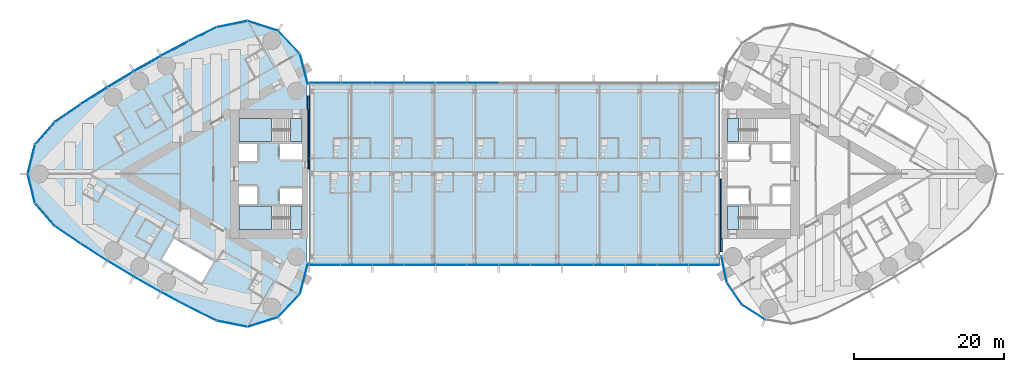
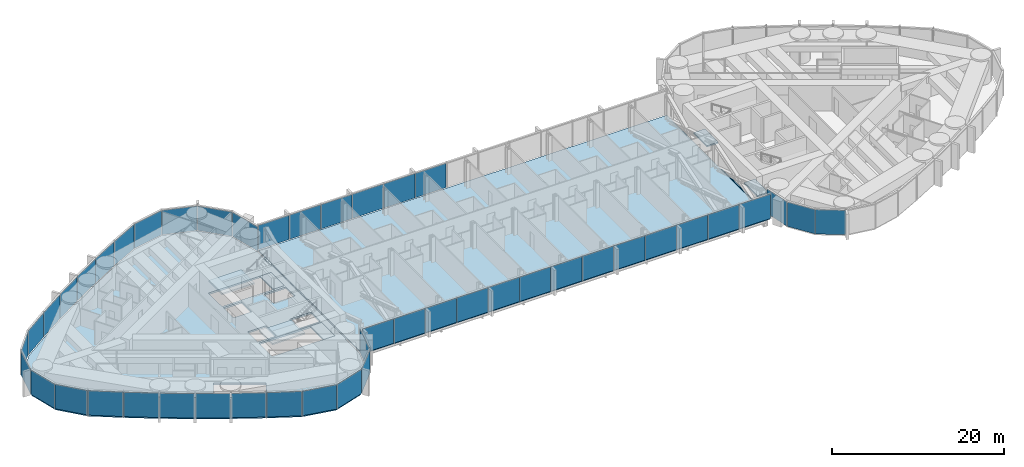
# One storey, part 12 of 23: 48 plates, 8 slabs, 8 elements without a shape of their own.
"""IFC4 building model written with IfcOpenShell, lengths in metres."""

from ifc_helpers import new_model, si_unit, direction, frame, origin, origin_2d, place, context, subcontext, project, spatial, polyline, rectangle, outline, extrude, material, layer, layer_set, type_object, element, aggregate, save


model = new_model("IFC4")

# Units and contexts
model_context = context("Model", 3, precision=1e-05, world=origin(), true_north=direction((0.0, 1.0)))
body_context = subcontext(model_context, "Body", "Model", "MODEL_VIEW")
ifc_project = project(units=[si_unit("LENGTHUNIT", "METRE"), si_unit("AREAUNIT", "SQUARE_METRE"), si_unit("VOLUMEUNIT", "CUBIC_METRE"), si_unit("PLANEANGLEUNIT", "RADIAN"), si_unit("MASSUNIT", "GRAM", prefix="KILO")], contexts=[model_context])

# Site, building, storey
site_placement = place(None, origin())
site = spatial("IfcSite", under=ifc_project, at=site_placement, CompositionType="ELEMENT")
building_placement = place(site_placement, origin())
building = spatial("IfcBuilding", under=site, at=building_placement, Name="Lancet Gate Hotel", CompositionType="ELEMENT")
storey_placement = place(building_placement, frame((0.0, 0.0, 218.89990234375)))
storey = spatial("IfcBuildingStorey", under=building, at=storey_placement, Name="L58", CompositionType="ELEMENT", Elevation=218.89990234375)

# Curtain wall, plates
ifc_material_1 = material(Name="Aluminium curtain wall", Category="aluminium")
curtain_wall_type_1 = type_object("IfcCurtainWallType", Name="Bridge block curtain wall", PredefinedType="USERDEFINED", material=ifc_material_1)
curtain_wall_1_placement = place(storey_placement, origin())
curtain_wall_1 = element("IfcCurtainWall", 1, at=curtain_wall_1_placement, inside=storey, type_object=curtain_wall_type_1, Name="Bridge block L58 curtain wall S", ObjectType="UNITISED CURTAIN WALL", PredefinedType="USERDEFINED")
ifc_material_2 = material(Name="Glass double glazed unit 8-16-6", Category="glass")
ifc_layer_1 = layer(ifc_material_2, 0.030029296875)
ifc_layer_set_1 = layer_set([ifc_layer_1], Name="Block vision panel")
plate_type_1 = type_object("IfcPlateType", Name="Block vision panel", PredefinedType="CURTAIN_PANEL", material=ifc_layer_set_1)
plate_1_placement = place(storey_placement, frame((-25.24609375, -12.1201171875, 0.0), z_axis=(0.0, 0.0, 1.0), x_axis=(1.0, 0.0, 0.0)))
plate_1 = element("IfcPlate", 2, at=plate_1_placement, type_object=plate_type_1, Name="Bridge block L58 curtain wall S panel 1", PredefinedType="CURTAIN_PANEL", context=body_context, shape_type="SweptSolid", body=[
    extrude(rectangle(XDim=4.142578125, YDim=0.030029296875, at=origin_2d()), origin(), (0.0, 0.0, 1.0), 3.449951171875),
])
plate_2_placement = place(storey_placement, frame((-21.03857421875, -12.1201171875, 0.0), z_axis=(0.0, 0.0, 1.0), x_axis=(1.0, 0.0, 0.0)))
plate_2 = element("IfcPlate", 3, at=plate_2_placement, type_object=plate_type_1, Name="Bridge block L58 curtain wall S panel 2", PredefinedType="CURTAIN_PANEL", context=body_context, shape_type="SweptSolid", body=[
    extrude(rectangle(XDim=4.142578125, YDim=0.030029296875, at=origin_2d()), origin(), (0.0, 0.0, 1.0), 3.449951171875),
])
plate_3_placement = place(storey_placement, frame((-16.830810546875, -12.1201171875, 0.0), z_axis=(0.0, 0.0, 1.0), x_axis=(1.0, 0.0, 0.0)))
plate_3 = element("IfcPlate", 4, at=plate_3_placement, type_object=plate_type_1, Name="Bridge block L58 curtain wall S panel 3", PredefinedType="CURTAIN_PANEL", context=body_context, shape_type="SweptSolid", body=[
    extrude(rectangle(XDim=4.142578125, YDim=0.030029296875, at=origin_2d()), origin(), (0.0, 0.0, 1.0), 3.449951171875),
])
plate_4_placement = place(storey_placement, frame((-12.623046875, -12.1201171875, 0.0), z_axis=(0.0, 0.0, 1.0), x_axis=(1.0, 0.0, 0.0)))
plate_4 = element("IfcPlate", 5, at=plate_4_placement, type_object=plate_type_1, Name="Bridge block L58 curtain wall S panel 4", PredefinedType="CURTAIN_PANEL", context=body_context, shape_type="SweptSolid", body=[
    extrude(rectangle(XDim=4.142578125, YDim=0.030029296875, at=origin_2d()), origin(), (0.0, 0.0, 1.0), 3.449951171875),
])
plate_5_placement = place(storey_placement, frame((-8.415283203125, -12.1201171875, 0.0), z_axis=(0.0, 0.0, 1.0), x_axis=(1.0, 0.0, 0.0)))
plate_5 = element("IfcPlate", 6, at=plate_5_placement, type_object=plate_type_1, Name="Bridge block L58 curtain wall S panel 5", PredefinedType="CURTAIN_PANEL", context=body_context, shape_type="SweptSolid", body=[
    extrude(rectangle(XDim=4.142578125, YDim=0.030029296875, at=origin_2d()), origin(), (0.0, 0.0, 1.0), 3.449951171875),
])
plate_6_placement = place(storey_placement, frame((-4.207763671875, -12.1201171875, 0.0), z_axis=(0.0, 0.0, 1.0), x_axis=(1.0, 0.0, 0.0)))
plate_6 = element("IfcPlate", 7, at=plate_6_placement, type_object=plate_type_1, Name="Bridge block L58 curtain wall S panel 6", PredefinedType="CURTAIN_PANEL", context=body_context, shape_type="SweptSolid", body=[
    extrude(rectangle(XDim=4.142578125, YDim=0.030029296875, at=origin_2d()), origin(), (0.0, 0.0, 1.0), 3.449951171875),
])
plate_7_placement = place(storey_placement, frame((0.0, -12.1201171875, 0.0), z_axis=(0.0, 0.0, 1.0), x_axis=(1.0, 0.0, 0.0)))
plate_7 = element("IfcPlate", 8, at=plate_7_placement, type_object=plate_type_1, Name="Bridge block L58 curtain wall S panel 7", PredefinedType="CURTAIN_PANEL", context=body_context, shape_type="SweptSolid", body=[
    extrude(rectangle(XDim=4.142578125, YDim=0.030029296875, at=origin_2d()), origin(), (0.0, 0.0, 1.0), 3.449951171875),
])
plate_8_placement = place(storey_placement, frame((4.207763671875, -12.1201171875, 0.0), z_axis=(0.0, 0.0, 1.0), x_axis=(1.0, 0.0, 0.0)))
plate_8 = element("IfcPlate", 9, at=plate_8_placement, type_object=plate_type_1, Name="Bridge block L58 curtain wall S panel 8", PredefinedType="CURTAIN_PANEL", context=body_context, shape_type="SweptSolid", body=[
    extrude(rectangle(XDim=4.142578125, YDim=0.030029296875, at=origin_2d()), origin(), (0.0, 0.0, 1.0), 3.449951171875),
])
plate_9_placement = place(storey_placement, frame((8.415283203125, -12.1201171875, 0.0), z_axis=(0.0, 0.0, 1.0), x_axis=(1.0, 0.0, 0.0)))
plate_9 = element("IfcPlate", 10, at=plate_9_placement, type_object=plate_type_1, Name="Bridge block L58 curtain wall S panel 9", PredefinedType="CURTAIN_PANEL", context=body_context, shape_type="SweptSolid", body=[
    extrude(rectangle(XDim=4.142578125, YDim=0.030029296875, at=origin_2d()), origin(), (0.0, 0.0, 1.0), 3.449951171875),
])
plate_10_placement = place(storey_placement, frame((12.623046875, -12.1201171875, 0.0), z_axis=(0.0, 0.0, 1.0), x_axis=(1.0, 0.0, 0.0)))
plate_10 = element("IfcPlate", 11, at=plate_10_placement, type_object=plate_type_1, Name="Bridge block L58 curtain wall S panel 10", PredefinedType="CURTAIN_PANEL", context=body_context, shape_type="SweptSolid", body=[
    extrude(rectangle(XDim=4.142578125, YDim=0.030029296875, at=origin_2d()), origin(), (0.0, 0.0, 1.0), 3.449951171875),
])
plate_11_placement = place(storey_placement, frame((16.830810546875, -12.1201171875, 0.0), z_axis=(0.0, 0.0, 1.0), x_axis=(1.0, 0.0, 0.0)))
plate_11 = element("IfcPlate", 12, at=plate_11_placement, type_object=plate_type_1, Name="Bridge block L58 curtain wall S panel 11", PredefinedType="CURTAIN_PANEL", context=body_context, shape_type="SweptSolid", body=[
    extrude(rectangle(XDim=4.142578125, YDim=0.030029296875, at=origin_2d()), origin(), (0.0, 0.0, 1.0), 3.449951171875),
])
plate_12_placement = place(storey_placement, frame((21.03857421875, -12.1201171875, 0.0), z_axis=(0.0, 0.0, 1.0), x_axis=(1.0, 0.0, 0.0)))
plate_12 = element("IfcPlate", 13, at=plate_12_placement, type_object=plate_type_1, Name="Bridge block L58 curtain wall S panel 12", PredefinedType="CURTAIN_PANEL", context=body_context, shape_type="SweptSolid", body=[
    extrude(rectangle(XDim=4.142578125, YDim=0.030029296875, at=origin_2d()), origin(), (0.0, 0.0, 1.0), 3.449951171875),
])
plate_13_placement = place(storey_placement, frame((25.24609375, -12.1201171875, 0.0), z_axis=(0.0, 0.0, 1.0), x_axis=(1.0, 0.0, 0.0)))
plate_13 = element("IfcPlate", 14, at=plate_13_placement, type_object=plate_type_1, Name="Bridge block L58 curtain wall S panel 13", PredefinedType="CURTAIN_PANEL", context=body_context, shape_type="SweptSolid", body=[
    extrude(rectangle(XDim=4.142578125, YDim=0.030029296875, at=origin_2d()), origin(), (0.0, 0.0, 1.0), 3.449951171875),
])
aggregate(curtain_wall_1, [plate_1, plate_2, plate_3, plate_4, plate_5, plate_6, plate_7, plate_8, plate_9, plate_10, plate_11, plate_12, plate_13])

curtain_wall_2_placement = place(storey_placement, origin())
curtain_wall_2 = element("IfcCurtainWall", 15, at=curtain_wall_2_placement, inside=storey, type_object=curtain_wall_type_1, Name="Bridge block L58 curtain wall N", ObjectType="UNITISED CURTAIN WALL", PredefinedType="USERDEFINED")
plate_14_placement = place(storey_placement, frame((-4.207763671875, 12.1201171875, 0.0), z_axis=(0.0, 0.0, 1.0), x_axis=(-1.0, 0.0, 0.0)))
plate_14 = element("IfcPlate", 16, at=plate_14_placement, type_object=plate_type_1, Name="Bridge block L58 curtain wall N panel 8", PredefinedType="CURTAIN_PANEL", context=body_context, shape_type="SweptSolid", body=[
    extrude(rectangle(XDim=4.142578125, YDim=0.030029296875, at=origin_2d()), origin(), (0.0, 0.0, 1.0), 3.449951171875),
])
plate_15_placement = place(storey_placement, frame((-8.415283203125, 12.1201171875, 0.0), z_axis=(0.0, 0.0, 1.0), x_axis=(-1.0, 0.0, 0.0)))
plate_15 = element("IfcPlate", 17, at=plate_15_placement, type_object=plate_type_1, Name="Bridge block L58 curtain wall N panel 9", PredefinedType="CURTAIN_PANEL", context=body_context, shape_type="SweptSolid", body=[
    extrude(rectangle(XDim=4.142578125, YDim=0.030029296875, at=origin_2d()), origin(), (0.0, 0.0, 1.0), 3.449951171875),
])
plate_16_placement = place(storey_placement, frame((-12.623046875, 12.1201171875, 0.0), z_axis=(0.0, 0.0, 1.0), x_axis=(-1.0, 0.0, 0.0)))
plate_16 = element("IfcPlate", 18, at=plate_16_placement, type_object=plate_type_1, Name="Bridge block L58 curtain wall N panel 10", PredefinedType="CURTAIN_PANEL", context=body_context, shape_type="SweptSolid", body=[
    extrude(rectangle(XDim=4.142578125, YDim=0.030029296875, at=origin_2d()), origin(), (0.0, 0.0, 1.0), 3.449951171875),
])
plate_17_placement = place(storey_placement, frame((-16.830810546875, 12.1201171875, 0.0), z_axis=(0.0, 0.0, 1.0), x_axis=(-1.0, 0.0, 0.0)))
plate_17 = element("IfcPlate", 19, at=plate_17_placement, type_object=plate_type_1, Name="Bridge block L58 curtain wall N panel 11", PredefinedType="CURTAIN_PANEL", context=body_context, shape_type="SweptSolid", body=[
    extrude(rectangle(XDim=4.142578125, YDim=0.030029296875, at=origin_2d()), origin(), (0.0, 0.0, 1.0), 3.449951171875),
])
plate_18_placement = place(storey_placement, frame((-21.03857421875, 12.1201171875, 0.0), z_axis=(0.0, 0.0, 1.0), x_axis=(-1.0, 0.0, 0.0)))
plate_18 = element("IfcPlate", 20, at=plate_18_placement, type_object=plate_type_1, Name="Bridge block L58 curtain wall N panel 12", PredefinedType="CURTAIN_PANEL", context=body_context, shape_type="SweptSolid", body=[
    extrude(rectangle(XDim=4.142578125, YDim=0.030029296875, at=origin_2d()), origin(), (0.0, 0.0, 1.0), 3.449951171875),
])
plate_19_placement = place(storey_placement, frame((-25.24609375, 12.1201171875, 0.0), z_axis=(0.0, 0.0, 1.0), x_axis=(-1.0, 0.0, 0.0)))
plate_19 = element("IfcPlate", 21, at=plate_19_placement, type_object=plate_type_1, Name="Bridge block L58 curtain wall N panel 13", PredefinedType="CURTAIN_PANEL", context=body_context, shape_type="SweptSolid", body=[
    extrude(rectangle(XDim=4.142578125, YDim=0.030029296875, at=origin_2d()), origin(), (0.0, 0.0, 1.0), 3.449951171875),
])
aggregate(curtain_wall_2, [plate_14, plate_15, plate_16, plate_17, plate_18, plate_19])

# Slabs
ifc_material_3 = material(Name="Concrete C40/50", Category="concrete")
ifc_layer_2 = layer(ifc_material_3, 0.199951171875)
ifc_layer_set_2 = layer_set([ifc_layer_2], Name="Composite floor slab 200")
slab_type_1 = type_object("IfcSlabType", Name="Composite floor slab 200", PredefinedType="FLOOR", material=ifc_layer_set_2)
slab_1_placement = place(storey_placement, frame((0.0, 0.0, -0.199951171875)))
element("IfcSlab", 22, at=slab_1_placement, inside=storey, type_object=slab_type_1, Name="Bridge block L58 floor slab", PredefinedType="FLOOR", context=body_context, shape_type="SweptSolid", body=[
    extrude(outline(polyline([(27.35009765625, -12.0), (27.35009765625, 12.0), (-27.35009765625, 12.0), (-27.35009765625, -12.0), (27.35009765625, -12.0)])), origin(), (0.0, 0.0, 1.0), 0.199951171875),
])
ifc_material_4 = material(Name="Concrete C50/60", Category="concrete")
ifc_layer_3 = layer(ifc_material_4, 0.25)
ifc_layer_set_3 = layer_set([ifc_layer_3], Name="Floor slab 250")
slab_type_2 = type_object("IfcSlabType", Name="Floor slab 250", PredefinedType="FLOOR", material=ifc_layer_set_3)
slab_2_placement = place(storey_placement, frame((0.0, 0.0, -0.25)))
element("IfcSlab", 23, at=slab_2_placement, inside=storey, type_object=slab_type_2, Name="T1 L58 floor slab", PredefinedType="FLOOR", context=body_context, shape_type="SweptSolid", body=[
    extrude(outline(polyline([(-27.5, 8.60009765625), (-27.6201171875, 8.60009765625), (-27.6201171875, 11.84619140625), (-28.668701171875, 15.912353515625), (-31.542236328125, 18.95263671875), (-35.52783203125, 20.22412109375), (-39.645751953125, 19.40673828125), (-43.344482421875, 17.565673828125), (-47.005126953125, 15.618896484375), (-50.61181640625, 13.574462890625), (-54.162353515625, 11.43359375), (-57.654052734375, 9.197998046875), (-61.072998046875, 6.876708984375), (-63.71240234375, 3.871337890625), (-64.66064453125, 0.0), (-63.71240234375, -3.871337890625), (-61.072998046875, -6.876708984375), (-57.654052734375, -9.197998046875), (-54.162353515625, -11.43359375), (-50.61181640625, -13.574462890625), (-47.005126953125, -15.618896484375), (-43.344482421875, -17.565673828125), (-39.645751953125, -19.40673828125), (-35.52783203125, -20.22412109375), (-31.542236328125, -18.95263671875), (-28.668701171875, -15.912353515625), (-27.6201171875, -11.84619140625), (-27.6201171875, -8.60009765625), (-27.5, -8.60009765625), (-27.5, -8.199951171875), (-27.5, 8.199951171875), (-27.5, 8.60009765625)]), holes=[polyline([(-36.699951171875, 7.39990234375), (-36.699951171875, 4.300048828125), (-28.300048828125, 4.300048828125), (-28.300048828125, 7.39990234375), (-36.699951171875, 7.39990234375)]), polyline([(-28.300048828125, 4.0), (-31.199951171875, 4.0), (-31.199951171875, 1.89990234375), (-28.300048828125, 1.89990234375), (-28.300048828125, 4.0)]), polyline([(-34.25, 4.0), (-36.699951171875, 4.0), (-36.699951171875, 1.64990234375), (-34.25, 1.64990234375), (-34.25, 4.0)]), polyline([(-36.699951171875, -1.64990234375), (-36.699951171875, -4.0), (-34.25, -4.0), (-34.25, -1.64990234375), (-36.699951171875, -1.64990234375)]), polyline([(-28.300048828125, -1.89990234375), (-31.199951171875, -1.89990234375), (-31.199951171875, -4.0), (-28.300048828125, -4.0), (-28.300048828125, -1.89990234375)]), polyline([(-28.300048828125, -4.300048828125), (-36.699951171875, -4.300048828125), (-36.699951171875, -7.39990234375), (-28.300048828125, -7.39990234375), (-28.300048828125, -4.300048828125)]), polyline([(-45.319091796875, -8.631103515625), (-46.9189453125, -11.402099609375), (-41.635986328125, -14.451904296875), (-40.035888671875, -11.680908203125), (-45.319091796875, -8.631103515625)])]), origin(), (0.0, 0.0, 1.0), 0.25),
])

# Plates
ifc_material_5 = material(Name="Aluminium chequer plate", Category="aluminium")
ifc_layer_4 = layer(ifc_material_5, 0.014892578125)
ifc_layer_set_4 = layer_set([ifc_layer_4], Name="Movement joint cover plate 15")
plate_type_2 = type_object("IfcPlateType", Name="Movement joint cover plate 15", PredefinedType="SHEET", material=ifc_layer_set_4)
plate_20_placement = place(storey_placement, frame((0.0, 0.0, -0.014892578125)))
element("IfcPlate", 24, at=plate_20_placement, inside=storey, type_object=plate_type_2, Name="Movement joint cover plate T1 L58", PredefinedType="SHEET", context=body_context, shape_type="SweptSolid", body=[
    extrude(outline(polyline([(-27.35009765625, 10.3798828125), (-27.6201171875, 10.3798828125), (-27.6201171875, 8.60009765625), (-27.5, 8.60009765625), (-27.5, 8.199951171875), (-27.5, 0.6201171875), (-27.35009765625, 0.6201171875), (-27.35009765625, 10.3798828125)])), origin(), (0.0, 0.0, 1.0), 0.014892578125),
])
plate_21_placement = place(storey_placement, frame((0.0, 0.0, -0.014892578125)))
element("IfcPlate", 25, at=plate_21_placement, inside=storey, type_object=plate_type_2, Name="Movement joint cover plate T2 L58", PredefinedType="SHEET", context=body_context, shape_type="SweptSolid", body=[
    extrude(outline(polyline([(27.35009765625, -10.3798828125), (27.6201171875, -10.3798828125), (27.6201171875, -8.60009765625), (27.5, -8.60009765625), (27.5, -8.199951171875), (27.5, -0.6201171875), (27.35009765625, -0.6201171875), (27.35009765625, -10.3798828125)])), origin(), (0.0, 0.0, 1.0), 0.014892578125),
])

# Stair, slabs
ifc_material_6 = material(Name="Exit stair 20 risers 1500")
stair_type = type_object("IfcStairType", Name="Exit stair 20 risers 1500", PredefinedType="HALF_TURN_STAIR", material=ifc_material_6)
stair_1_placement = place(storey_placement, origin())
stair_1 = element("IfcStair", 26, at=stair_1_placement, inside=storey, type_object=stair_type, Name="T1 stair 1 L58", PredefinedType="HALF_TURN_STAIR")
ifc_material_7 = material(Name="Concrete C40/50", Category="concrete")
ifc_layer_5 = layer(ifc_material_7, 0.199951171875)
ifc_layer_set_5 = layer_set([ifc_layer_5], Name="Stair landing 200")
slab_type_3 = type_object("IfcSlabType", Name="Stair landing 200", PredefinedType="LANDING", material=ifc_layer_set_5)
slab_3_placement = place(storey_placement, frame((0.0, 0.0, -0.199951171875)))
slab_3 = element("IfcSlab", 27, at=slab_3_placement, type_object=slab_type_3, Name="ST1 landing 1", PredefinedType="LANDING", context=body_context, shape_type="SweptSolid", body=[
    extrude(outline(polyline([(-28.300048828125, 7.39990234375), (-29.800048828125, 7.39990234375), (-29.800048828125, 4.300048828125), (-28.300048828125, 4.300048828125), (-28.300048828125, 7.39990234375)])), origin(), (0.0, 0.0, 1.0), 0.199951171875),
])
slab_4_placement = place(storey_placement, frame((0.0, 0.0, 1.60009765625)))
slab_4 = element("IfcSlab", 28, at=slab_4_placement, type_object=slab_type_3, Name="ST1 landing 2", PredefinedType="LANDING", context=body_context, shape_type="SweptSolid", body=[
    extrude(outline(polyline([(-32.320068359375, 7.39990234375), (-36.699951171875, 7.39990234375), (-36.699951171875, 4.300048828125), (-32.320068359375, 4.300048828125), (-32.320068359375, 7.39990234375)])), origin(), (0.0, 0.0, 1.0), 0.199951171875),
])
aggregate(stair_1, [slab_3, slab_4])

stair_2_placement = place(storey_placement, origin())
stair_2 = element("IfcStair", 29, at=stair_2_placement, inside=storey, type_object=stair_type, Name="T1 stair 2 L58", PredefinedType="HALF_TURN_STAIR")
slab_5_placement = place(storey_placement, frame((0.0, 0.0, -0.199951171875)))
slab_5 = element("IfcSlab", 30, at=slab_5_placement, type_object=slab_type_3, Name="ST2 landing 1", PredefinedType="LANDING", context=body_context, shape_type="SweptSolid", body=[
    extrude(outline(polyline([(-28.300048828125, -4.300048828125), (-29.800048828125, -4.300048828125), (-29.800048828125, -7.39990234375), (-28.300048828125, -7.39990234375), (-28.300048828125, -4.300048828125)])), origin(), (0.0, 0.0, 1.0), 0.199951171875),
])
slab_6_placement = place(storey_placement, frame((0.0, 0.0, 1.60009765625)))
slab_6 = element("IfcSlab", 31, at=slab_6_placement, type_object=slab_type_3, Name="ST2 landing 2", PredefinedType="LANDING", context=body_context, shape_type="SweptSolid", body=[
    extrude(outline(polyline([(-32.320068359375, -4.300048828125), (-36.699951171875, -4.300048828125), (-36.699951171875, -7.39990234375), (-32.320068359375, -7.39990234375), (-32.320068359375, -4.300048828125)])), origin(), (0.0, 0.0, 1.0), 0.199951171875),
])
aggregate(stair_2, [slab_5, slab_6])

# Stair, slab
stair_3_placement = place(storey_placement, origin())
stair_3 = element("IfcStair", 32, at=stair_3_placement, inside=storey, type_object=stair_type, Name="T2 stair 1 L58", PredefinedType="HALF_TURN_STAIR")
slab_7_placement = place(storey_placement, frame((0.0, 0.0, -0.199951171875)))
slab_7 = element("IfcSlab", 33, at=slab_7_placement, type_object=slab_type_3, Name="ST3 landing 1", PredefinedType="LANDING", context=body_context, shape_type="SweptSolid", body=[
    extrude(outline(polyline([(28.300048828125, -7.39990234375), (29.800048828125, -7.39990234375), (29.800048828125, -4.300048828125), (28.300048828125, -4.300048828125), (28.300048828125, -7.39990234375)])), origin(), (0.0, 0.0, 1.0), 0.199951171875),
])
aggregate(stair_3, [slab_7])

stair_4_placement = place(storey_placement, origin())
stair_4 = element("IfcStair", 34, at=stair_4_placement, inside=storey, type_object=stair_type, Name="T2 stair 2 L58", PredefinedType="HALF_TURN_STAIR")
slab_8_placement = place(storey_placement, frame((0.0, 0.0, -0.199951171875)))
slab_8 = element("IfcSlab", 35, at=slab_8_placement, type_object=slab_type_3, Name="ST4 landing 1", PredefinedType="LANDING", context=body_context, shape_type="SweptSolid", body=[
    extrude(outline(polyline([(28.300048828125, 4.300048828125), (29.800048828125, 4.300048828125), (29.800048828125, 7.39990234375), (28.300048828125, 7.39990234375), (28.300048828125, 4.300048828125)])), origin(), (0.0, 0.0, 1.0), 0.199951171875),
])
aggregate(stair_4, [slab_8])

# Curtain wall, plates
ifc_material_8 = material(Name="Aluminium curtain wall", Category="aluminium")
curtain_wall_type_2 = type_object("IfcCurtainWallType", Name="Tower unitised curtain wall", PredefinedType="USERDEFINED", material=ifc_material_8)
curtain_wall_3_placement = place(storey_placement, origin())
curtain_wall_3 = element("IfcCurtainWall", 36, at=curtain_wall_3_placement, inside=storey, type_object=curtain_wall_type_2, Name="T1 L58 curtain wall 1", ObjectType="UNITISED CURTAIN WALL", PredefinedType="USERDEFINED")
ifc_material_9 = material(Name="Glass double glazed unit 8-16-6", Category="glass")
ifc_layer_6 = layer(ifc_material_9, 0.030029296875)
ifc_layer_set_6 = layer_set([ifc_layer_6], Name="Vision panel double glazed")
plate_type_3 = type_object("IfcPlateType", Name="Vision panel double glazed", PredefinedType="CURTAIN_PANEL", material=ifc_layer_set_6)
plate_22_placement = place(storey_placement, frame((-28.030029296875, 13.9169921875, 0.0), z_axis=(0.0, 0.0, 1.0), x_axis=(-0.249725827997, 0.968316586056, 0.0)))
plate_22 = element("IfcPlate", 37, at=plate_22_placement, type_object=plate_type_3, Name="T1 L58 curtain wall 1 panel 1", PredefinedType="CURTAIN_PANEL", context=body_context, shape_type="SweptSolid", body=[
    extrude(rectangle(XDim=4.180419921875, YDim=0.030029296875, at=origin_2d()), origin(), (0.0, 0.0, 1.0), 3.449951171875),
])
plate_23_placement = place(storey_placement, frame((-30.018310546875, 17.514892578125, 0.0), z_axis=(0.0, 0.0, 1.0), x_axis=(-0.686882887577, 0.726768118972, 0.0)))
plate_23 = element("IfcPlate", 38, at=plate_23_placement, type_object=plate_type_3, Name="T1 L58 curtain wall 1 panel 2", PredefinedType="CURTAIN_PANEL", context=body_context, shape_type="SweptSolid", body=[
    extrude(rectangle(XDim=4.180419921875, YDim=0.030029296875, at=origin_2d()), origin(), (0.0, 0.0, 1.0), 3.449951171875),
])
plate_24_placement = place(storey_placement, frame((-33.49853515625, 19.702880859375, 0.0), z_axis=(0.0, 0.0, 1.0), x_axis=(-0.952695666833, 0.303925922549, 0.0)))
plate_24 = element("IfcPlate", 39, at=plate_24_placement, type_object=plate_type_3, Name="T1 L58 curtain wall 1 panel 3", PredefinedType="CURTAIN_PANEL", context=body_context, shape_type="SweptSolid", body=[
    extrude(rectangle(XDim=4.180419921875, YDim=0.030029296875, at=origin_2d()), origin(), (0.0, 0.0, 1.0), 3.449951171875),
])
plate_25_placement = place(storey_placement, frame((-37.602783203125, 19.9345703125, 0.0), z_axis=(0.0, 0.0, 1.0), x_axis=(-0.980856647866, -0.194731189942, 0.0)))
plate_25 = element("IfcPlate", 40, at=plate_25_placement, type_object=plate_type_3, Name="T1 L58 curtain wall 1 panel 4", PredefinedType="CURTAIN_PANEL", context=body_context, shape_type="SweptSolid", body=[
    extrude(rectangle(XDim=4.180419921875, YDim=0.030029296875, at=origin_2d()), origin(), (0.0, 0.0, 1.0), 3.449951171875),
])
plate_26_placement = place(storey_placement, frame((-41.5419921875, 18.5966796875, 0.0), z_axis=(0.0, 0.0, 1.0), x_axis=(-0.895234030262, -0.445596264639, 0.0)))
plate_26 = element("IfcPlate", 41, at=plate_26_placement, type_object=plate_type_3, Name="T1 L58 curtain wall 1 panel 5", PredefinedType="CURTAIN_PANEL", context=body_context, shape_type="SweptSolid", body=[
    extrude(rectangle(XDim=4.084228515625, YDim=0.030029296875, at=origin_2d()), origin(), (0.0, 0.0, 1.0), 3.449951171875),
])
plate_27_placement = place(storey_placement, frame((-45.23095703125, 16.6982421875, 0.0), z_axis=(0.0, 0.0, 1.0), x_axis=(-0.882915941615, -0.469531085277, 0.0)))
plate_27 = element("IfcPlate", 42, at=plate_27_placement, type_object=plate_type_3, Name="T1 L58 curtain wall 1 panel 6", PredefinedType="CURTAIN_PANEL", context=body_context, shape_type="SweptSolid", body=[
    extrude(rectangle(XDim=4.084228515625, YDim=0.030029296875, at=origin_2d()), origin(), (0.0, 0.0, 1.0), 3.449951171875),
])
plate_28_placement = place(storey_placement, frame((-48.86767578125, 14.701171875, 0.0), z_axis=(0.0, 0.0, 1.0), x_axis=(-0.869958082404, -0.493125678565, 0.0)))
plate_28 = element("IfcPlate", 43, at=plate_28_placement, type_object=plate_type_3, Name="T1 L58 curtain wall 1 panel 7", PredefinedType="CURTAIN_PANEL", context=body_context, shape_type="SweptSolid", body=[
    extrude(rectangle(XDim=4.084228515625, YDim=0.030029296875, at=origin_2d()), origin(), (0.0, 0.0, 1.0), 3.449951171875),
])
plate_29_placement = place(storey_placement, frame((-52.44921875, 12.606689453125, 0.0), z_axis=(0.0, 0.0, 1.0), x_axis=(-0.85636984205, -0.516362947574, 0.0)))
plate_29 = element("IfcPlate", 44, at=plate_29_placement, type_object=plate_type_3, Name="T1 L58 curtain wall 1 panel 8", PredefinedType="CURTAIN_PANEL", context=body_context, shape_type="SweptSolid", body=[
    extrude(rectangle(XDim=4.084228515625, YDim=0.030029296875, at=origin_2d()), origin(), (0.0, 0.0, 1.0), 3.449951171875),
])
plate_30_placement = place(storey_placement, frame((-55.972900390625, 10.416748046875, 0.0), z_axis=(0.0, 0.0, 1.0), x_axis=(-0.842161066725, -0.539226054352, 0.0)))
plate_30 = element("IfcPlate", 45, at=plate_30_placement, type_object=plate_type_3, Name="T1 L58 curtain wall 1 panel 9", PredefinedType="CURTAIN_PANEL", context=body_context, shape_type="SweptSolid", body=[
    extrude(rectangle(XDim=4.084228515625, YDim=0.030029296875, at=origin_2d()), origin(), (0.0, 0.0, 1.0), 3.449951171875),
])
plate_31_placement = place(storey_placement, frame((-59.4365234375, 8.1328125, 0.0), z_axis=(0.0, 0.0, 1.0), x_axis=(-0.827342052281, -0.561698432014, 0.0)))
plate_31 = element("IfcPlate", 46, at=plate_31_placement, type_object=plate_type_3, Name="T1 L58 curtain wall 1 panel 10", PredefinedType="CURTAIN_PANEL", context=body_context, shape_type="SweptSolid", body=[
    extrude(rectangle(XDim=4.084228515625, YDim=0.030029296875, at=origin_2d()), origin(), (0.0, 0.0, 1.0), 3.449951171875),
])
plate_32_placement = place(storey_placement, frame((-62.487548828125, 5.447998046875, 0.0), z_axis=(0.0, 0.0, 1.0), x_axis=(-0.659891635916, -0.751360784742, 0.0)))
plate_32 = element("IfcPlate", 47, at=plate_32_placement, type_object=plate_type_3, Name="T1 L58 curtain wall 1 panel 11", PredefinedType="CURTAIN_PANEL", context=body_context, shape_type="SweptSolid", body=[
    extrude(rectangle(XDim=3.979736328125, YDim=0.030029296875, at=origin_2d()), origin(), (0.0, 0.0, 1.0), 3.449951171875),
])
plate_33_placement = place(storey_placement, frame((-64.30322265625, 1.96435546875, 0.0), z_axis=(0.0, 0.0, 1.0), x_axis=(-0.237921018621, -0.971284504612, 0.0)))
plate_33 = element("IfcPlate", 48, at=plate_33_placement, type_object=plate_type_3, Name="T1 L58 curtain wall 1 panel 12", PredefinedType="CURTAIN_PANEL", context=body_context, shape_type="SweptSolid", body=[
    extrude(rectangle(XDim=3.979736328125, YDim=0.030029296875, at=origin_2d()), origin(), (0.0, 0.0, 1.0), 3.449951171875),
])
plate_34_placement = place(storey_placement, frame((-64.30322265625, -1.96435546875, 0.0), z_axis=(0.0, 0.0, 1.0), x_axis=(0.237921018621, -0.971284504612, 0.0)))
plate_34 = element("IfcPlate", 49, at=plate_34_placement, type_object=plate_type_3, Name="T1 L58 curtain wall 1 panel 13", PredefinedType="CURTAIN_PANEL", context=body_context, shape_type="SweptSolid", body=[
    extrude(rectangle(XDim=3.979736328125, YDim=0.030029296875, at=origin_2d()), origin(), (0.0, 0.0, 1.0), 3.449951171875),
])
plate_35_placement = place(storey_placement, frame((-62.487548828125, -5.447998046875, 0.0), z_axis=(0.0, 0.0, 1.0), x_axis=(0.659891635916, -0.751360784742, 0.0)))
plate_35 = element("IfcPlate", 50, at=plate_35_placement, type_object=plate_type_3, Name="T1 L58 curtain wall 1 panel 14", PredefinedType="CURTAIN_PANEL", context=body_context, shape_type="SweptSolid", body=[
    extrude(rectangle(XDim=3.979736328125, YDim=0.030029296875, at=origin_2d()), origin(), (0.0, 0.0, 1.0), 3.449951171875),
])
plate_36_placement = place(storey_placement, frame((-59.4365234375, -8.1328125, 0.0), z_axis=(0.0, 0.0, 1.0), x_axis=(0.827342052281, -0.561698432014, 0.0)))
plate_36 = element("IfcPlate", 51, at=plate_36_placement, type_object=plate_type_3, Name="T1 L58 curtain wall 1 panel 15", PredefinedType="CURTAIN_PANEL", context=body_context, shape_type="SweptSolid", body=[
    extrude(rectangle(XDim=4.084228515625, YDim=0.030029296875, at=origin_2d()), origin(), (0.0, 0.0, 1.0), 3.449951171875),
])
plate_37_placement = place(storey_placement, frame((-55.972900390625, -10.416748046875, 0.0), z_axis=(0.0, 0.0, 1.0), x_axis=(0.842161066725, -0.539226054352, 0.0)))
plate_37 = element("IfcPlate", 52, at=plate_37_placement, type_object=plate_type_3, Name="T1 L58 curtain wall 1 panel 16", PredefinedType="CURTAIN_PANEL", context=body_context, shape_type="SweptSolid", body=[
    extrude(rectangle(XDim=4.084228515625, YDim=0.030029296875, at=origin_2d()), origin(), (0.0, 0.0, 1.0), 3.449951171875),
])
plate_38_placement = place(storey_placement, frame((-52.44921875, -12.606689453125, 0.0), z_axis=(0.0, 0.0, 1.0), x_axis=(0.85636984205, -0.516362947574, 0.0)))
plate_38 = element("IfcPlate", 53, at=plate_38_placement, type_object=plate_type_3, Name="T1 L58 curtain wall 1 panel 17", PredefinedType="CURTAIN_PANEL", context=body_context, shape_type="SweptSolid", body=[
    extrude(rectangle(XDim=4.084228515625, YDim=0.030029296875, at=origin_2d()), origin(), (0.0, 0.0, 1.0), 3.449951171875),
])
plate_39_placement = place(storey_placement, frame((-48.86767578125, -14.701171875, 0.0), z_axis=(0.0, 0.0, 1.0), x_axis=(0.869958082404, -0.493125678565, 0.0)))
plate_39 = element("IfcPlate", 54, at=plate_39_placement, type_object=plate_type_3, Name="T1 L58 curtain wall 1 panel 18", PredefinedType="CURTAIN_PANEL", context=body_context, shape_type="SweptSolid", body=[
    extrude(rectangle(XDim=4.084228515625, YDim=0.030029296875, at=origin_2d()), origin(), (0.0, 0.0, 1.0), 3.449951171875),
])
plate_40_placement = place(storey_placement, frame((-45.23095703125, -16.6982421875, 0.0), z_axis=(0.0, 0.0, 1.0), x_axis=(0.882915941615, -0.469531085277, 0.0)))
plate_40 = element("IfcPlate", 55, at=plate_40_placement, type_object=plate_type_3, Name="T1 L58 curtain wall 1 panel 19", PredefinedType="CURTAIN_PANEL", context=body_context, shape_type="SweptSolid", body=[
    extrude(rectangle(XDim=4.084228515625, YDim=0.030029296875, at=origin_2d()), origin(), (0.0, 0.0, 1.0), 3.449951171875),
])
plate_41_placement = place(storey_placement, frame((-41.5419921875, -18.5966796875, 0.0), z_axis=(0.0, 0.0, 1.0), x_axis=(0.895234030262, -0.445596264639, 0.0)))
plate_41 = element("IfcPlate", 56, at=plate_41_placement, type_object=plate_type_3, Name="T1 L58 curtain wall 1 panel 20", PredefinedType="CURTAIN_PANEL", context=body_context, shape_type="SweptSolid", body=[
    extrude(rectangle(XDim=4.084228515625, YDim=0.030029296875, at=origin_2d()), origin(), (0.0, 0.0, 1.0), 3.449951171875),
])
plate_42_placement = place(storey_placement, frame((-37.602783203125, -19.9345703125, 0.0), z_axis=(0.0, 0.0, 1.0), x_axis=(0.980856647866, -0.194731189942, 0.0)))
plate_42 = element("IfcPlate", 57, at=plate_42_placement, type_object=plate_type_3, Name="T1 L58 curtain wall 1 panel 21", PredefinedType="CURTAIN_PANEL", context=body_context, shape_type="SweptSolid", body=[
    extrude(rectangle(XDim=4.180419921875, YDim=0.030029296875, at=origin_2d()), origin(), (0.0, 0.0, 1.0), 3.449951171875),
])
plate_43_placement = place(storey_placement, frame((-33.49853515625, -19.702880859375, 0.0), z_axis=(0.0, 0.0, 1.0), x_axis=(0.952695666833, 0.303925922549, 0.0)))
plate_43 = element("IfcPlate", 58, at=plate_43_placement, type_object=plate_type_3, Name="T1 L58 curtain wall 1 panel 22", PredefinedType="CURTAIN_PANEL", context=body_context, shape_type="SweptSolid", body=[
    extrude(rectangle(XDim=4.180419921875, YDim=0.030029296875, at=origin_2d()), origin(), (0.0, 0.0, 1.0), 3.449951171875),
])
plate_44_placement = place(storey_placement, frame((-30.018310546875, -17.514892578125, 0.0), z_axis=(0.0, 0.0, 1.0), x_axis=(0.686882887577, 0.726768118972, 0.0)))
plate_44 = element("IfcPlate", 59, at=plate_44_placement, type_object=plate_type_3, Name="T1 L58 curtain wall 1 panel 23", PredefinedType="CURTAIN_PANEL", context=body_context, shape_type="SweptSolid", body=[
    extrude(rectangle(XDim=4.180419921875, YDim=0.030029296875, at=origin_2d()), origin(), (0.0, 0.0, 1.0), 3.449951171875),
])
plate_45_placement = place(storey_placement, frame((-28.030029296875, -13.9169921875, 0.0), z_axis=(0.0, 0.0, 1.0), x_axis=(0.249725827997, 0.968316586056, 0.0)))
plate_45 = element("IfcPlate", 60, at=plate_45_placement, type_object=plate_type_3, Name="T1 L58 curtain wall 1 panel 24", PredefinedType="CURTAIN_PANEL", context=body_context, shape_type="SweptSolid", body=[
    extrude(rectangle(XDim=4.180419921875, YDim=0.030029296875, at=origin_2d()), origin(), (0.0, 0.0, 1.0), 3.449951171875),
])
aggregate(curtain_wall_3, [plate_22, plate_23, plate_24, plate_25, plate_26, plate_27, plate_28, plate_29, plate_30, plate_31, plate_32, plate_33, plate_34, plate_35, plate_36, plate_37, plate_38, plate_39, plate_40, plate_41, plate_42, plate_43, plate_44, plate_45])

curtain_wall_4_placement = place(storey_placement, origin())
curtain_wall_4 = element("IfcCurtainWall", 61, at=curtain_wall_4_placement, inside=storey, type_object=curtain_wall_type_2, Name="T2 L58 curtain wall 1", ObjectType="UNITISED CURTAIN WALL", PredefinedType="USERDEFINED")
plate_46_placement = place(storey_placement, frame((27.8583984375, -12.707763671875, 0.0), z_axis=(0.0, 0.0, 1.0), x_axis=(0.199533486841, -0.979891008036, 0.0)))
plate_46 = element("IfcPlate", 62, at=plate_46_placement, type_object=plate_type_3, Name="T2 L58 curtain wall 1 panel 1", PredefinedType="CURTAIN_PANEL", context=body_context, shape_type="SweptSolid", body=[
    extrude(rectangle(XDim=3.526611328125, YDim=0.030029296875, at=origin_2d()), origin(), (0.0, 0.0, 1.0), 3.449951171875),
])
plate_47_placement = place(storey_placement, frame((29.234619140625, -15.947021484375, 0.0), z_axis=(0.0, 0.0, 1.0), x_axis=(0.566823864908, -0.823839005007, 0.0)))
plate_47 = element("IfcPlate", 63, at=plate_47_placement, type_object=plate_type_3, Name="T2 L58 curtain wall 1 panel 2", PredefinedType="CURTAIN_PANEL", context=body_context, shape_type="SweptSolid", body=[
    extrude(rectangle(XDim=3.526611328125, YDim=0.030029296875, at=origin_2d()), origin(), (0.0, 0.0, 1.0), 3.449951171875),
])
plate_48_placement = place(storey_placement, frame((31.767822265625, -18.389892578125, 0.0), z_axis=(0.0, 0.0, 1.0), x_axis=(0.843845020422, -0.536586974785, 0.0)))
plate_48 = element("IfcPlate", 64, at=plate_48_placement, type_object=plate_type_3, Name="T2 L58 curtain wall 1 panel 3", PredefinedType="CURTAIN_PANEL", context=body_context, shape_type="SweptSolid", body=[
    extrude(rectangle(XDim=3.526611328125, YDim=0.030029296875, at=origin_2d()), origin(), (0.0, 0.0, 1.0), 3.449951171875),
])
aggregate(curtain_wall_4, [plate_46, plate_47, plate_48])

save(model, "model.ifc")
